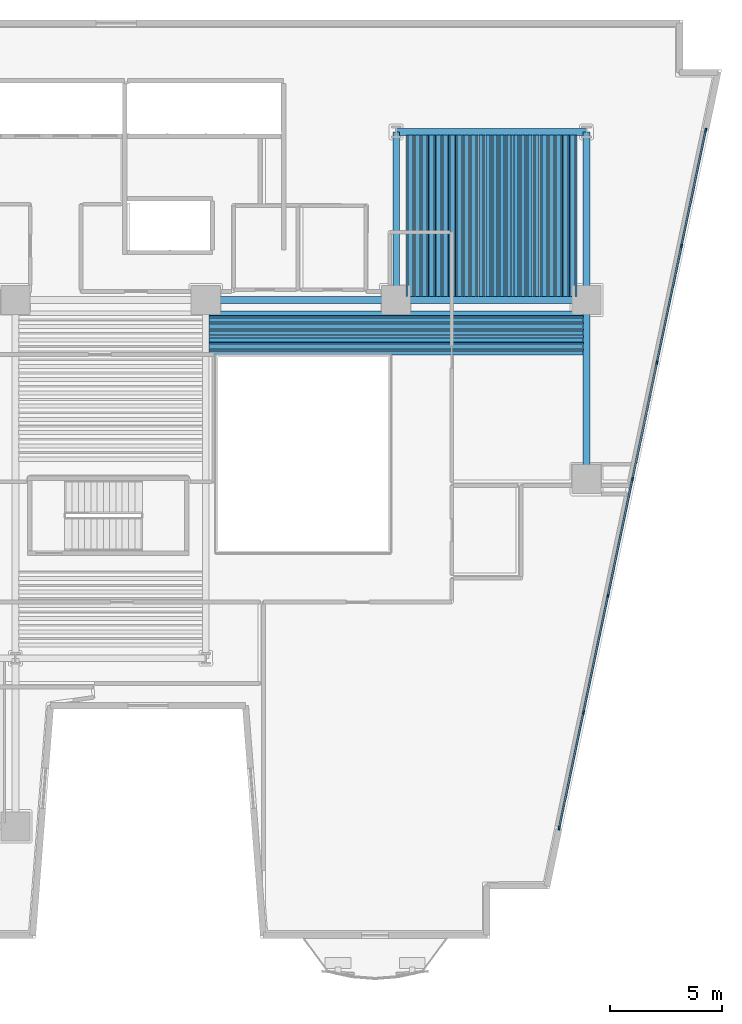
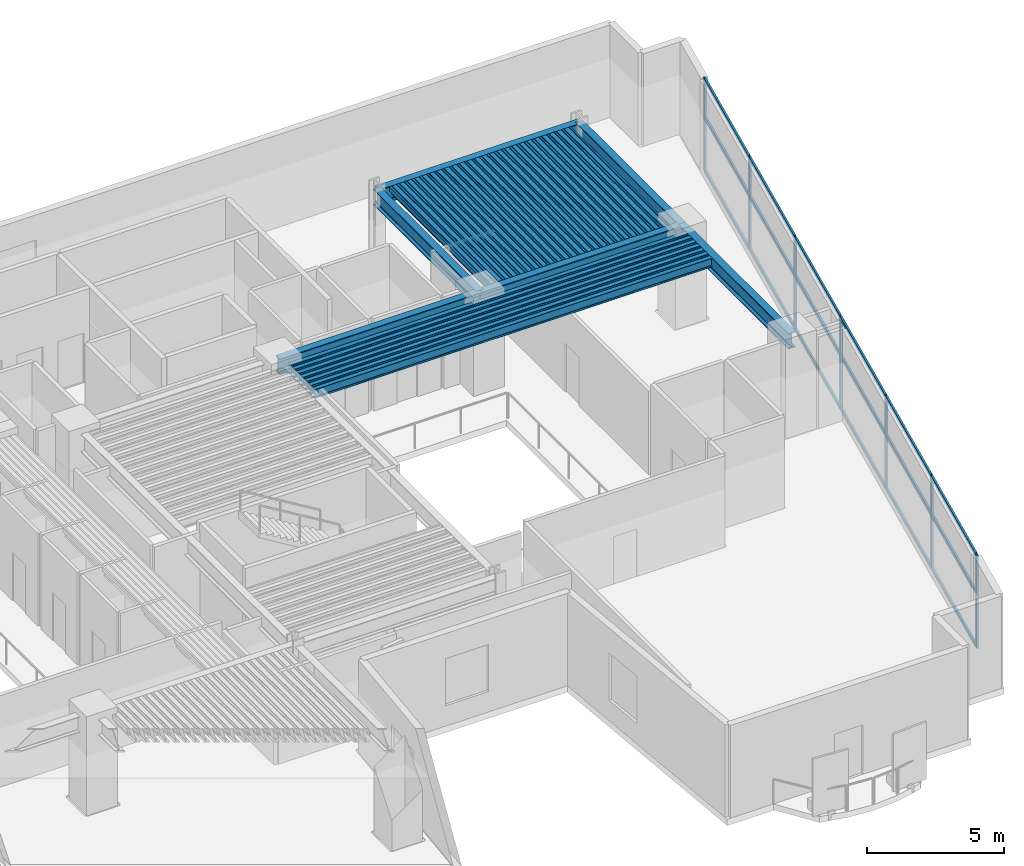
# One storey, part 2 of 12: 68 beams, 25 members, 1 element without a shape of its own.
"""IFC4 building model written with IfcOpenShell, lengths in metres."""

from ifc_helpers import new_model, si_unit, direction, frame, origin, origin_2d, place, context, subcontext, project, spatial, rectangle, hollow_rectangle, i_section, extrude, material, layer, layer_set, material_profile, profile_set, type_object, element, aggregate, save


model = new_model("IFC4")

# Units and contexts
model_context = context("Model", 3, precision=1e-05, world=origin(), true_north=direction((0.0, 1.0)))
body_context = subcontext(model_context, "Body", "Model", "MODEL_VIEW")
ifc_project = project(units=[si_unit("LENGTHUNIT", "METRE"), si_unit("AREAUNIT", "SQUARE_METRE"), si_unit("VOLUMEUNIT", "CUBIC_METRE"), si_unit("PLANEANGLEUNIT", "RADIAN"), si_unit("MASSUNIT", "GRAM", prefix="KILO")], contexts=[model_context])

# Site, building, storey
site_placement = place(None, origin())
site = spatial("IfcSite", under=ifc_project, at=site_placement, CompositionType="ELEMENT")
building_placement = place(site_placement, origin())
building = spatial("IfcBuilding", under=site, at=building_placement, Name="Caeloran Harvest Quay", CompositionType="ELEMENT")
storey_placement = place(building_placement, frame((0.0, 0.0, 97.39990234375)))
storey = spatial("IfcBuildingStorey", under=building, at=storey_placement, Name="L22", CompositionType="ELEMENT", Elevation=97.39990234375)

# Beams
ifc_material_1 = material(Name="Steel S355J2", Category="steel")
ifc_material_profile_1 = material_profile(ifc_material_1, i_section(OverallWidth=0.300048828125, OverallDepth=0.699951171875, WebThickness=0.01708984375, FlangeThickness=0.031982421875, FilletRadius=0.027099609375, at=origin_2d()), Name="HE 700 B")
ifc_profile_set_1 = profile_set([ifc_material_profile_1], Name="Steel S355J2")
beam_type_1 = type_object("IfcBeamType", Name="BM-PG-2-HE_700_B", PredefinedType="BEAM", material=ifc_profile_set_1)
for number, where, z_axis, x_axis, name in (
    (1, (34.0, 31.0, 3.76513671875), (1.0, 0.0, 0.0), (0.0, 1.0, 0.0), "L22 Primary East-West Girder Y=31.0"),
    (2, (42.5, 31.0, 3.76513671875), (1.0, 0.0, 0.0), (0.0, 1.0, 0.0), "L22 Primary East-West Girder Y=31.0"),
    (3, (42.5, 38.5, 3.76513671875), (1.0, 0.0, 0.0), (0.0, 1.0, 0.0), "L22 Primary East-West Girder Y=38.5"),
):
    element("IfcBeam", number, at=place(storey_placement, frame(where, z_axis=z_axis, x_axis=x_axis)), inside=storey, type_object=beam_type_1, Name=name, PredefinedType="BEAM", context=body_context, shape_type="SweptSolid", body=[
        extrude(i_section(OverallWidth=0.300048828125, OverallDepth=0.699951171875, WebThickness=0.01708984375, FlangeThickness=0.031982421875, FilletRadius=0.027099609375, at=origin_2d()), origin(), (0.0, 0.0, 1.0), 8.5),
    ])
beam_1_placement = place(storey_placement, frame((42.5, 31.0, 3.76513671875), z_axis=(0.0, 1.0, 0.0), x_axis=(-1.0, 0.0, 0.0)))
element("IfcBeam", 4, at=beam_1_placement, inside=storey, type_object=beam_type_1, Name="L22 Primary North-South Girder X=42.5", PredefinedType="BEAM", context=body_context, shape_type="SweptSolid", body=[
    extrude(i_section(OverallWidth=0.300048828125, OverallDepth=0.699951171875, WebThickness=0.01708984375, FlangeThickness=0.031982421875, FilletRadius=0.027099609375, at=origin_2d()), origin(), (0.0, 0.0, 1.0), 7.5),
])
beam_2_placement = place(storey_placement, frame((51.0, 23.0, 3.76513671875), z_axis=(0.0, 1.0, 0.0), x_axis=(-1.0, 0.0, 0.0)))
element("IfcBeam", 5, at=beam_2_placement, inside=storey, type_object=beam_type_1, Name="L22 Primary North-South Girder X=51.0", PredefinedType="BEAM", context=body_context, shape_type="SweptSolid", body=[
    extrude(i_section(OverallWidth=0.300048828125, OverallDepth=0.699951171875, WebThickness=0.01708984375, FlangeThickness=0.031982421875, FilletRadius=0.027099609375, at=origin_2d()), origin(), (0.0, 0.0, 1.0), 8.0),
])
beam_3_placement = place(storey_placement, frame((51.0, 31.0, 3.76513671875), z_axis=(0.0, 1.0, 0.0), x_axis=(-1.0, 0.0, 0.0)))
element("IfcBeam", 6, at=beam_3_placement, inside=storey, type_object=beam_type_1, Name="L22 Primary North-South Girder X=51.0", PredefinedType="BEAM", context=body_context, shape_type="SweptSolid", body=[
    extrude(i_section(OverallWidth=0.300048828125, OverallDepth=0.699951171875, WebThickness=0.01708984375, FlangeThickness=0.031982421875, FilletRadius=0.027099609375, at=origin_2d()), origin(), (0.0, 0.0, 1.0), 7.5),
])
ifc_material_profile_2 = material_profile(ifc_material_1, i_section(OverallWidth=0.179931640625, OverallDepth=0.39990234375, WebThickness=0.008544921875, FlangeThickness=0.013427734375, FilletRadius=0.02099609375, at=origin_2d()), Name="IPE 400")
ifc_profile_set_2 = profile_set([ifc_material_profile_2], Name="Steel S355J2")
beam_type_2 = type_object("IfcBeamType", Name="BM-SB-4-IPE_400", PredefinedType="JOIST", material=ifc_profile_set_2)
for number, where, z_axis, x_axis, name in (
    (7, (43.129638671875, 31.14501953125, 3.9150390625), (0.0, 1.0, 0.0), (-1.0, 0.0, 0.0), "L22 Secondary Composite Joist"),
    (8, (43.4443359375, 31.14501953125, 3.9150390625), (0.0, 1.0, 0.0), (-1.0, 0.0, 0.0), "L22 Secondary Composite Joist"),
    (9, (43.75927734375, 31.14501953125, 3.9150390625), (0.0, 1.0, 0.0), (-1.0, 0.0, 0.0), "L22 Secondary Composite Joist"),
    (10, (44.07421875, 31.14501953125, 3.9150390625), (0.0, 1.0, 0.0), (-1.0, 0.0, 0.0), "L22 Secondary Composite Joist"),
    (11, (44.388916015625, 31.14501953125, 3.9150390625), (0.0, 1.0, 0.0), (-1.0, 0.0, 0.0), "L22 Secondary Composite Joist"),
    (12, (44.70361328125, 31.14501953125, 3.9150390625), (0.0, 1.0, 0.0), (-1.0, 0.0, 0.0), "L22 Secondary Composite Joist"),
    (13, (45.0185546875, 31.14501953125, 3.9150390625), (0.0, 1.0, 0.0), (-1.0, 0.0, 0.0), "L22 Secondary Composite Joist"),
    (14, (45.333251953125, 31.14501953125, 3.9150390625), (0.0, 1.0, 0.0), (-1.0, 0.0, 0.0), "L22 Secondary Composite Joist"),
    (15, (45.648193359375, 31.14501953125, 3.9150390625), (0.0, 1.0, 0.0), (-1.0, 0.0, 0.0), "L22 Secondary Composite Joist"),
    (16, (45.962890625, 31.14501953125, 3.9150390625), (0.0, 1.0, 0.0), (-1.0, 0.0, 0.0), "L22 Secondary Composite Joist"),
    (17, (46.27783203125, 31.14501953125, 3.9150390625), (0.0, 1.0, 0.0), (-1.0, 0.0, 0.0), "L22 Secondary Composite Joist"),
    (18, (46.592529296875, 31.14501953125, 3.9150390625), (0.0, 1.0, 0.0), (-1.0, 0.0, 0.0), "L22 Secondary Composite Joist"),
    (19, (46.907470703125, 31.14501953125, 3.9150390625), (0.0, 1.0, 0.0), (-1.0, 0.0, 0.0), "L22 Secondary Composite Joist"),
    (20, (47.22216796875, 31.14501953125, 3.9150390625), (0.0, 1.0, 0.0), (-1.0, 0.0, 0.0), "L22 Secondary Composite Joist"),
    (21, (47.537109375, 31.14501953125, 3.9150390625), (0.0, 1.0, 0.0), (-1.0, 0.0, 0.0), "L22 Secondary Composite Joist"),
    (22, (47.851806640625, 31.14501953125, 3.9150390625), (0.0, 1.0, 0.0), (-1.0, 0.0, 0.0), "L22 Secondary Composite Joist"),
    (23, (48.166748046875, 31.14501953125, 3.9150390625), (0.0, 1.0, 0.0), (-1.0, 0.0, 0.0), "L22 Secondary Composite Joist"),
    (24, (48.4814453125, 31.14501953125, 3.9150390625), (0.0, 1.0, 0.0), (-1.0, 0.0, 0.0), "L22 Secondary Composite Joist"),
    (25, (48.79638671875, 31.14501953125, 3.9150390625), (0.0, 1.0, 0.0), (-1.0, 0.0, 0.0), "L22 Secondary Composite Joist"),
    (26, (49.111083984375, 31.14501953125, 3.9150390625), (0.0, 1.0, 0.0), (-1.0, 0.0, 0.0), "L22 Secondary Composite Joist"),
    (27, (49.42578125, 31.14501953125, 3.9150390625), (0.0, 1.0, 0.0), (-1.0, 0.0, 0.0), "L22 Secondary Composite Joist"),
    (28, (49.74072265625, 31.14501953125, 3.9150390625), (0.0, 1.0, 0.0), (-1.0, 0.0, 0.0), "L22 Secondary Composite Joist"),
    (29, (50.0556640625, 31.14501953125, 3.9150390625), (0.0, 1.0, 0.0), (-1.0, 0.0, 0.0), "L22 Secondary Composite Joist"),
    (30, (50.370361328125, 31.14501953125, 3.9150390625), (0.0, 1.0, 0.0), (-1.0, 0.0, 0.0), "L22 Secondary Composite Joist"),
):
    element("IfcBeam", number, at=place(storey_placement, frame(where, z_axis=z_axis, x_axis=x_axis)), inside=storey, type_object=beam_type_2, Name=name, PredefinedType="JOIST", context=body_context, shape_type="SweptSolid", body=[
        extrude(i_section(OverallWidth=0.179931640625, OverallDepth=0.39990234375, WebThickness=0.008544921875, FlangeThickness=0.013427734375, FilletRadius=0.02099609375, at=origin_2d()), origin(), (0.0, 0.0, 1.0), 7.2099609375),
    ])
for number, where, z_axis, x_axis, name in (
    (31, (34.14501953125, 28.629638671875, 3.9150390625), (1.0, 0.0, 0.0), (0.0, 1.0, 0.0), "L22 Secondary East-West Composite Joist"),
    (32, (34.14501953125, 28.92578125, 3.9150390625), (1.0, 0.0, 0.0), (0.0, 1.0, 0.0), "L22 Secondary East-West Composite Joist"),
    (33, (34.14501953125, 29.22216796875, 3.9150390625), (1.0, 0.0, 0.0), (0.0, 1.0, 0.0), "L22 Secondary East-West Composite Joist"),
    (34, (34.14501953125, 29.5185546875, 3.9150390625), (1.0, 0.0, 0.0), (0.0, 1.0, 0.0), "L22 Secondary East-West Composite Joist"),
    (35, (34.14501953125, 29.814697265625, 3.9150390625), (1.0, 0.0, 0.0), (0.0, 1.0, 0.0), "L22 Secondary East-West Composite Joist"),
    (36, (34.14501953125, 30.111083984375, 3.9150390625), (1.0, 0.0, 0.0), (0.0, 1.0, 0.0), "L22 Secondary East-West Composite Joist"),
    (37, (34.14501953125, 30.407470703125, 3.9150390625), (1.0, 0.0, 0.0), (0.0, 1.0, 0.0), "L22 Secondary East-West Composite Joist"),
):
    element("IfcBeam", number, at=place(storey_placement, frame(where, z_axis=z_axis, x_axis=x_axis)), inside=storey, type_object=beam_type_2, Name=name, PredefinedType="JOIST", context=body_context, shape_type="SweptSolid", body=[
        extrude(i_section(OverallWidth=0.179931640625, OverallDepth=0.39990234375, WebThickness=0.008544921875, FlangeThickness=0.013427734375, FilletRadius=0.02099609375, at=origin_2d()), origin(), (0.0, 0.0, 1.0), 16.7099609375),
    ])
ifc_material_profile_3 = material_profile(ifc_material_1, hollow_rectangle(XDim=0.080078125, YDim=0.199951171875, WallThickness=0.006103515625, InnerFilletRadius=0.006103515625, OuterFilletRadius=0.009033203125, at=origin_2d()), Name="RHS 200x80x6")
ifc_profile_set_3 = profile_set([ifc_material_profile_3], Name="Steel S355J2")
beam_type_3 = type_object("IfcBeamType", Name="BM-SB-7-RHS_200x80x6", PredefinedType="JOIST", material=ifc_profile_set_3)
for number, where, z_axis, x_axis, name in (
    (38, (42.97216796875, 31.14501953125, 4.01513671875), (0.0, 1.0, 0.0), (-1.0, 0.0, 0.0), "L22 Secondary Composite Joist"),
    (39, (43.287109375, 31.14501953125, 4.01513671875), (0.0, 1.0, 0.0), (-1.0, 0.0, 0.0), "L22 Secondary Composite Joist"),
    (40, (43.601806640625, 31.14501953125, 4.01513671875), (0.0, 1.0, 0.0), (-1.0, 0.0, 0.0), "L22 Secondary Composite Joist"),
    (41, (43.916748046875, 31.14501953125, 4.01513671875), (0.0, 1.0, 0.0), (-1.0, 0.0, 0.0), "L22 Secondary Composite Joist"),
    (42, (44.2314453125, 31.14501953125, 4.01513671875), (0.0, 1.0, 0.0), (-1.0, 0.0, 0.0), "L22 Secondary Composite Joist"),
    (43, (44.54638671875, 31.14501953125, 4.01513671875), (0.0, 1.0, 0.0), (-1.0, 0.0, 0.0), "L22 Secondary Composite Joist"),
    (44, (44.861083984375, 31.14501953125, 4.01513671875), (0.0, 1.0, 0.0), (-1.0, 0.0, 0.0), "L22 Secondary Composite Joist"),
    (45, (45.17578125, 31.14501953125, 4.01513671875), (0.0, 1.0, 0.0), (-1.0, 0.0, 0.0), "L22 Secondary Composite Joist"),
    (46, (45.49072265625, 31.14501953125, 4.01513671875), (0.0, 1.0, 0.0), (-1.0, 0.0, 0.0), "L22 Secondary Composite Joist"),
    (47, (45.8056640625, 31.14501953125, 4.01513671875), (0.0, 1.0, 0.0), (-1.0, 0.0, 0.0), "L22 Secondary Composite Joist"),
    (48, (46.120361328125, 31.14501953125, 4.01513671875), (0.0, 1.0, 0.0), (-1.0, 0.0, 0.0), "L22 Secondary Composite Joist"),
    (49, (46.435302734375, 31.14501953125, 4.01513671875), (0.0, 1.0, 0.0), (-1.0, 0.0, 0.0), "L22 Secondary Composite Joist"),
    (50, (46.75, 31.14501953125, 4.01513671875), (0.0, 1.0, 0.0), (-1.0, 0.0, 0.0), "L22 Secondary Composite Joist"),
    (51, (47.064697265625, 31.14501953125, 4.01513671875), (0.0, 1.0, 0.0), (-1.0, 0.0, 0.0), "L22 Secondary Composite Joist"),
    (52, (47.379638671875, 31.14501953125, 4.01513671875), (0.0, 1.0, 0.0), (-1.0, 0.0, 0.0), "L22 Secondary Composite Joist"),
    (53, (47.6943359375, 31.14501953125, 4.01513671875), (0.0, 1.0, 0.0), (-1.0, 0.0, 0.0), "L22 Secondary Composite Joist"),
    (54, (48.00927734375, 31.14501953125, 4.01513671875), (0.0, 1.0, 0.0), (-1.0, 0.0, 0.0), "L22 Secondary Composite Joist"),
    (55, (48.32421875, 31.14501953125, 4.01513671875), (0.0, 1.0, 0.0), (-1.0, 0.0, 0.0), "L22 Secondary Composite Joist"),
    (56, (48.638916015625, 31.14501953125, 4.01513671875), (0.0, 1.0, 0.0), (-1.0, 0.0, 0.0), "L22 Secondary Composite Joist"),
    (57, (48.95361328125, 31.14501953125, 4.01513671875), (0.0, 1.0, 0.0), (-1.0, 0.0, 0.0), "L22 Secondary Composite Joist"),
    (58, (49.2685546875, 31.14501953125, 4.01513671875), (0.0, 1.0, 0.0), (-1.0, 0.0, 0.0), "L22 Secondary Composite Joist"),
    (59, (49.583251953125, 31.14501953125, 4.01513671875), (0.0, 1.0, 0.0), (-1.0, 0.0, 0.0), "L22 Secondary Composite Joist"),
    (60, (49.898193359375, 31.14501953125, 4.01513671875), (0.0, 1.0, 0.0), (-1.0, 0.0, 0.0), "L22 Secondary Composite Joist"),
    (61, (50.212890625, 31.14501953125, 4.01513671875), (0.0, 1.0, 0.0), (-1.0, 0.0, 0.0), "L22 Secondary Composite Joist"),
    (62, (50.52783203125, 31.14501953125, 4.01513671875), (0.0, 1.0, 0.0), (-1.0, 0.0, 0.0), "L22 Secondary Composite Joist"),
):
    element("IfcBeam", number, at=place(storey_placement, frame(where, z_axis=z_axis, x_axis=x_axis)), inside=storey, type_object=beam_type_3, Name=name, PredefinedType="JOIST", context=body_context, shape_type="SweptSolid", body=[
        extrude(hollow_rectangle(XDim=0.080078125, YDim=0.199951171875, WallThickness=0.006103515625, InnerFilletRadius=0.006103515625, OuterFilletRadius=0.009033203125, at=origin_2d()), origin(), (0.0, 0.0, 1.0), 7.2099609375),
    ])
for number, where, z_axis, x_axis, name in (
    (63, (34.14501953125, 28.77783203125, 4.01513671875), (1.0, 0.0, 0.0), (0.0, 1.0, 0.0), "L22 Secondary East-West Composite Joist"),
    (64, (34.14501953125, 29.07421875, 4.01513671875), (1.0, 0.0, 0.0), (0.0, 1.0, 0.0), "L22 Secondary East-West Composite Joist"),
    (65, (34.14501953125, 29.370361328125, 4.01513671875), (1.0, 0.0, 0.0), (0.0, 1.0, 0.0), "L22 Secondary East-West Composite Joist"),
    (66, (34.14501953125, 29.666748046875, 4.01513671875), (1.0, 0.0, 0.0), (0.0, 1.0, 0.0), "L22 Secondary East-West Composite Joist"),
    (67, (34.14501953125, 29.962890625, 4.01513671875), (1.0, 0.0, 0.0), (0.0, 1.0, 0.0), "L22 Secondary East-West Composite Joist"),
    (68, (34.14501953125, 30.25927734375, 4.01513671875), (1.0, 0.0, 0.0), (0.0, 1.0, 0.0), "L22 Secondary East-West Composite Joist"),
):
    element("IfcBeam", number, at=place(storey_placement, frame(where, z_axis=z_axis, x_axis=x_axis)), inside=storey, type_object=beam_type_3, Name=name, PredefinedType="JOIST", context=body_context, shape_type="SweptSolid", body=[
        extrude(hollow_rectangle(XDim=0.080078125, YDim=0.199951171875, WallThickness=0.006103515625, InnerFilletRadius=0.006103515625, OuterFilletRadius=0.009033203125, at=origin_2d()), origin(), (0.0, 0.0, 1.0), 16.7099609375),
    ])

# Curtain wall, members
ifc_material_2 = material(Name="Aluminium 6063-T6 and Low-E Glazing", Category="aluminium")
ifc_layer = layer(ifc_material_2, 0.199951171875, Name="Aluminium 6063-T6 and Low-E Glazing")
ifc_layer_set = layer_set([ifc_layer], Name="Aluminium 6063-T6 and Low-E Glazing")
curtain_wall_type = type_object("IfcCurtainWallType", Name="CW-SYS-CW-2", PredefinedType="USERDEFINED", material=ifc_layer_set)
curtain_wall_placement = place(storey_placement, origin())
curtain_wall = element("IfcCurtainWall", 69, at=curtain_wall_placement, inside=storey, type_object=curtain_wall_type, Name="L22 Unitised Curtain Wall CW-2 Run 9", ObjectType="CURTAIN_WALL", PredefinedType="USERDEFINED")
ifc_material_3 = material(Name="Aluminium 6063-T6", Category="aluminium")
ifc_material_profile_4 = material_profile(ifc_material_3, rectangle(XDim=0.080078125, YDim=0.179931640625, at=origin_2d()), Name="CW-MULLION-180")
ifc_profile_set_4 = profile_set([ifc_material_profile_4], Name="Aluminium 6063-T6")
member_type_1 = type_object("IfcMemberType", Name="CW-MULLION-180", PredefinedType="MULLION", material=ifc_profile_set_4)
member_1_placement = place(storey_placement, frame((56.322509765625, 38.576416015625, 0.0), z_axis=(0.0, 0.0, 1.0), x_axis=(0.978639691881, -0.205582960081, 0.0)))
member_1 = element("IfcMember", 70, at=member_1_placement, type_object=member_type_1, Name="CW-2 mullion 1", PredefinedType="MULLION", context=body_context, shape_type="SweptSolid", body=[
    extrude(rectangle(XDim=0.080078125, YDim=0.179931640625, at=origin_2d()), origin(), (0.0, 0.0, 1.0), 4.114990234375),
])
member_2_placement = place(storey_placement, frame((55.2373046875, 33.410400390625, 0.0), z_axis=(0.0, 0.0, 1.0), x_axis=(0.978639691881, -0.205582960081, 0.0)))
member_2 = element("IfcMember", 71, at=member_2_placement, type_object=member_type_1, Name="CW-2 mullion 2", PredefinedType="MULLION", context=body_context, shape_type="SweptSolid", body=[
    extrude(rectangle(XDim=0.080078125, YDim=0.179931640625, at=origin_2d()), origin(), (0.0, 0.0, 1.0), 4.114990234375),
])
member_3_placement = place(storey_placement, frame((54.143798828125, 28.205078125, 0.0), z_axis=(0.0, 0.0, 1.0), x_axis=(0.978639691881, -0.205582960081, 0.0)))
member_3 = element("IfcMember", 72, at=member_3_placement, type_object=member_type_1, Name="CW-2 mullion 3", PredefinedType="MULLION", context=body_context, shape_type="SweptSolid", body=[
    extrude(rectangle(XDim=0.080078125, YDim=0.179931640625, at=origin_2d()), origin(), (0.0, 0.0, 1.0), 4.114990234375),
])
member_4_placement = place(storey_placement, frame((53.050537109375, 23.0, 0.0), z_axis=(0.0, 0.0, 1.0), x_axis=(0.978639691881, -0.205582960081, 0.0)))
member_4 = element("IfcMember", 73, at=member_4_placement, type_object=member_type_1, Name="CW-2 mullion 4", PredefinedType="MULLION", context=body_context, shape_type="SweptSolid", body=[
    extrude(rectangle(XDim=0.080078125, YDim=0.179931640625, at=origin_2d()), origin(), (0.0, 0.0, 1.0), 4.114990234375),
])
member_5_placement = place(storey_placement, frame((51.95703125, 17.794921875, 0.0), z_axis=(0.0, 0.0, 1.0), x_axis=(0.978639691881, -0.205582960081, 0.0)))
member_5 = element("IfcMember", 74, at=member_5_placement, type_object=member_type_1, Name="CW-2 mullion 5", PredefinedType="MULLION", context=body_context, shape_type="SweptSolid", body=[
    extrude(rectangle(XDim=0.080078125, YDim=0.179931640625, at=origin_2d()), origin(), (0.0, 0.0, 1.0), 4.114990234375),
])
member_6_placement = place(storey_placement, frame((50.863525390625, 12.589599609375, 0.0), z_axis=(0.0, 0.0, 1.0), x_axis=(0.978639691881, -0.205582960081, 0.0)))
member_6 = element("IfcMember", 75, at=member_6_placement, type_object=member_type_1, Name="CW-2 mullion 6", PredefinedType="MULLION", context=body_context, shape_type="SweptSolid", body=[
    extrude(rectangle(XDim=0.080078125, YDim=0.179931640625, at=origin_2d()), origin(), (0.0, 0.0, 1.0), 4.114990234375),
])
member_7_placement = place(storey_placement, frame((49.7783203125, 7.423583984375, 0.0), z_axis=(0.0, 0.0, 1.0), x_axis=(0.978639691881, -0.205582960081, 0.0)))
member_7 = element("IfcMember", 76, at=member_7_placement, type_object=member_type_1, Name="CW-2 mullion 7", PredefinedType="MULLION", context=body_context, shape_type="SweptSolid", body=[
    extrude(rectangle(XDim=0.080078125, YDim=0.179931640625, at=origin_2d()), origin(), (0.0, 0.0, 1.0), 4.114990234375),
])
ifc_material_profile_5 = material_profile(ifc_material_3, rectangle(XDim=0.080078125, YDim=0.14990234375, at=origin_2d()), Name="CW-TRANSOM-150")
ifc_profile_set_5 = profile_set([ifc_material_profile_5], Name="Aluminium 6063-T6")
member_type_2 = type_object("IfcMemberType", Name="CW-TRANSOM-150", PredefinedType="USERDEFINED", material=ifc_profile_set_5)
member_8_placement = place(storey_placement, frame((56.314453125, 38.537109375, 0.0400390625), z_axis=(-0.205598644178, -0.978636396989, 0.0), x_axis=(0.978636396989, -0.205598644178, 0.0)))
member_8 = element("IfcMember", 77, at=member_8_placement, type_object=member_type_2, Name="CW-2 transom 1.1", ObjectType="TRANSOM", PredefinedType="USERDEFINED", context=body_context, shape_type="SweptSolid", body=[
    extrude(rectangle(XDim=0.080078125, YDim=0.14990234375, at=origin_2d()), origin(), (0.0, 0.0, 1.0), 5.19873046875),
])
member_9_placement = place(storey_placement, frame((56.314453125, 38.537109375, 2.400146484375), z_axis=(-0.205598644178, -0.978636396989, 0.0), x_axis=(0.978636396989, -0.205598644178, 0.0)))
member_9 = element("IfcMember", 78, at=member_9_placement, type_object=member_type_2, Name="CW-2 transom 1.2", ObjectType="TRANSOM", PredefinedType="USERDEFINED", context=body_context, shape_type="SweptSolid", body=[
    extrude(rectangle(XDim=0.080078125, YDim=0.14990234375, at=origin_2d()), origin(), (0.0, 0.0, 1.0), 5.19873046875),
])
member_10_placement = place(storey_placement, frame((56.314453125, 38.537109375, 4.0751953125), z_axis=(-0.205598644178, -0.978636396989, 0.0), x_axis=(0.978636396989, -0.205598644178, 0.0)))
member_10 = element("IfcMember", 79, at=member_10_placement, type_object=member_type_2, Name="CW-2 transom 1.3", ObjectType="TRANSOM", PredefinedType="USERDEFINED", context=body_context, shape_type="SweptSolid", body=[
    extrude(rectangle(XDim=0.080078125, YDim=0.14990234375, at=origin_2d()), origin(), (0.0, 0.0, 1.0), 5.19873046875),
])
member_11_placement = place(storey_placement, frame((55.229248046875, 33.37109375, 0.0400390625), z_axis=(-0.205615877389, -0.97863277636, 0.0), x_axis=(0.97863277636, -0.205615877389, 0.0)))
member_11 = element("IfcMember", 80, at=member_11_placement, type_object=member_type_2, Name="CW-2 transom 2.1", ObjectType="TRANSOM", PredefinedType="USERDEFINED", context=body_context, shape_type="SweptSolid", body=[
    extrude(rectangle(XDim=0.080078125, YDim=0.14990234375, at=origin_2d()), origin(), (0.0, 0.0, 1.0), 5.238525390625),
])
member_12_placement = place(storey_placement, frame((55.229248046875, 33.37109375, 2.400146484375), z_axis=(-0.205615877389, -0.97863277636, 0.0), x_axis=(0.97863277636, -0.205615877389, 0.0)))
member_12 = element("IfcMember", 81, at=member_12_placement, type_object=member_type_2, Name="CW-2 transom 2.2", ObjectType="TRANSOM", PredefinedType="USERDEFINED", context=body_context, shape_type="SweptSolid", body=[
    extrude(rectangle(XDim=0.080078125, YDim=0.14990234375, at=origin_2d()), origin(), (0.0, 0.0, 1.0), 5.238525390625),
])
member_13_placement = place(storey_placement, frame((55.229248046875, 33.37109375, 4.0751953125), z_axis=(-0.205615877389, -0.97863277636, 0.0), x_axis=(0.97863277636, -0.205615877389, 0.0)))
member_13 = element("IfcMember", 82, at=member_13_placement, type_object=member_type_2, Name="CW-2 transom 2.3", ObjectType="TRANSOM", PredefinedType="USERDEFINED", context=body_context, shape_type="SweptSolid", body=[
    extrude(rectangle(XDim=0.080078125, YDim=0.14990234375, at=origin_2d()), origin(), (0.0, 0.0, 1.0), 5.238525390625),
])
member_14_placement = place(storey_placement, frame((54.1357421875, 28.166015625, 0.0400390625), z_axis=(-0.205606500081, -0.978634746534, 0.0), x_axis=(0.978634746534, -0.205606500081, 0.0)))
member_14 = element("IfcMember", 83, at=member_14_placement, type_object=member_type_2, Name="CW-2 transom 3.1", ObjectType="TRANSOM", PredefinedType="USERDEFINED", context=body_context, shape_type="SweptSolid", body=[
    extrude(rectangle(XDim=0.080078125, YDim=0.14990234375, at=origin_2d()), origin(), (0.0, 0.0, 1.0), 5.23876953125),
])
member_15_placement = place(storey_placement, frame((54.1357421875, 28.166015625, 2.400146484375), z_axis=(-0.205606500081, -0.978634746534, 0.0), x_axis=(0.978634746534, -0.205606500081, 0.0)))
member_15 = element("IfcMember", 84, at=member_15_placement, type_object=member_type_2, Name="CW-2 transom 3.2", ObjectType="TRANSOM", PredefinedType="USERDEFINED", context=body_context, shape_type="SweptSolid", body=[
    extrude(rectangle(XDim=0.080078125, YDim=0.14990234375, at=origin_2d()), origin(), (0.0, 0.0, 1.0), 5.23876953125),
])
member_16_placement = place(storey_placement, frame((54.1357421875, 28.166015625, 4.0751953125), z_axis=(-0.205606500081, -0.978634746534, 0.0), x_axis=(0.978634746534, -0.205606500081, 0.0)))
member_16 = element("IfcMember", 85, at=member_16_placement, type_object=member_type_2, Name="CW-2 transom 3.3", ObjectType="TRANSOM", PredefinedType="USERDEFINED", context=body_context, shape_type="SweptSolid", body=[
    extrude(rectangle(XDim=0.080078125, YDim=0.14990234375, at=origin_2d()), origin(), (0.0, 0.0, 1.0), 5.23876953125),
])
member_17_placement = place(storey_placement, frame((53.042236328125, 22.9609375, 0.0400390625), z_axis=(-0.205561867825, -0.978644122496, 0.0), x_axis=(0.978644122496, -0.205561867825, 0.0)))
member_17 = element("IfcMember", 86, at=member_17_placement, type_object=member_type_2, Name="CW-2 transom 4.1", ObjectType="TRANSOM", PredefinedType="USERDEFINED", context=body_context, shape_type="SweptSolid", body=[
    extrude(rectangle(XDim=0.080078125, YDim=0.14990234375, at=origin_2d()), origin(), (0.0, 0.0, 1.0), 5.23876953125),
])
member_18_placement = place(storey_placement, frame((53.042236328125, 22.9609375, 2.400146484375), z_axis=(-0.205561867825, -0.978644122496, 0.0), x_axis=(0.978644122496, -0.205561867825, 0.0)))
member_18 = element("IfcMember", 87, at=member_18_placement, type_object=member_type_2, Name="CW-2 transom 4.2", ObjectType="TRANSOM", PredefinedType="USERDEFINED", context=body_context, shape_type="SweptSolid", body=[
    extrude(rectangle(XDim=0.080078125, YDim=0.14990234375, at=origin_2d()), origin(), (0.0, 0.0, 1.0), 5.23876953125),
])
member_19_placement = place(storey_placement, frame((53.042236328125, 22.9609375, 4.0751953125), z_axis=(-0.205561867825, -0.978644122496, 0.0), x_axis=(0.978644122496, -0.205561867825, 0.0)))
member_19 = element("IfcMember", 88, at=member_19_placement, type_object=member_type_2, Name="CW-2 transom 4.3", ObjectType="TRANSOM", PredefinedType="USERDEFINED", context=body_context, shape_type="SweptSolid", body=[
    extrude(rectangle(XDim=0.080078125, YDim=0.14990234375, at=origin_2d()), origin(), (0.0, 0.0, 1.0), 5.23876953125),
])
member_20_placement = place(storey_placement, frame((51.94873046875, 17.755615234375, 0.0400390625), z_axis=(-0.205571243277, -0.978642153158, 0.0), x_axis=(0.978642153158, -0.205571243277, 0.0)))
member_20 = element("IfcMember", 89, at=member_20_placement, type_object=member_type_2, Name="CW-2 transom 5.1", ObjectType="TRANSOM", PredefinedType="USERDEFINED", context=body_context, shape_type="SweptSolid", body=[
    extrude(rectangle(XDim=0.080078125, YDim=0.14990234375, at=origin_2d()), origin(), (0.0, 0.0, 1.0), 5.238525390625),
])
member_21_placement = place(storey_placement, frame((51.94873046875, 17.755615234375, 2.400146484375), z_axis=(-0.205571243277, -0.978642153158, 0.0), x_axis=(0.978642153158, -0.205571243277, 0.0)))
member_21 = element("IfcMember", 90, at=member_21_placement, type_object=member_type_2, Name="CW-2 transom 5.2", ObjectType="TRANSOM", PredefinedType="USERDEFINED", context=body_context, shape_type="SweptSolid", body=[
    extrude(rectangle(XDim=0.080078125, YDim=0.14990234375, at=origin_2d()), origin(), (0.0, 0.0, 1.0), 5.238525390625),
])
member_22_placement = place(storey_placement, frame((51.94873046875, 17.755615234375, 4.0751953125), z_axis=(-0.205571243277, -0.978642153158, 0.0), x_axis=(0.978642153158, -0.205571243277, 0.0)))
member_22 = element("IfcMember", 91, at=member_22_placement, type_object=member_type_2, Name="CW-2 transom 5.3", ObjectType="TRANSOM", PredefinedType="USERDEFINED", context=body_context, shape_type="SweptSolid", body=[
    extrude(rectangle(XDim=0.080078125, YDim=0.14990234375, at=origin_2d()), origin(), (0.0, 0.0, 1.0), 5.238525390625),
])
member_23_placement = place(storey_placement, frame((50.855224609375, 12.550537109375, 0.0400390625), z_axis=(-0.205553666865, -0.978645845052, 0.0), x_axis=(0.978645845052, -0.205553666865, 0.0)))
member_23 = element("IfcMember", 92, at=member_23_placement, type_object=member_type_2, Name="CW-2 transom 6.1", ObjectType="TRANSOM", PredefinedType="USERDEFINED", context=body_context, shape_type="SweptSolid", body=[
    extrude(rectangle(XDim=0.080078125, YDim=0.14990234375, at=origin_2d()), origin(), (0.0, 0.0, 1.0), 5.19873046875),
])
member_24_placement = place(storey_placement, frame((50.855224609375, 12.550537109375, 2.400146484375), z_axis=(-0.205553666865, -0.978645845052, 0.0), x_axis=(0.978645845052, -0.205553666865, 0.0)))
member_24 = element("IfcMember", 93, at=member_24_placement, type_object=member_type_2, Name="CW-2 transom 6.2", ObjectType="TRANSOM", PredefinedType="USERDEFINED", context=body_context, shape_type="SweptSolid", body=[
    extrude(rectangle(XDim=0.080078125, YDim=0.14990234375, at=origin_2d()), origin(), (0.0, 0.0, 1.0), 5.19873046875),
])
member_25_placement = place(storey_placement, frame((50.855224609375, 12.550537109375, 4.0751953125), z_axis=(-0.205553666865, -0.978645845052, 0.0), x_axis=(0.978645845052, -0.205553666865, 0.0)))
member_25 = element("IfcMember", 94, at=member_25_placement, type_object=member_type_2, Name="CW-2 transom 6.3", ObjectType="TRANSOM", PredefinedType="USERDEFINED", context=body_context, shape_type="SweptSolid", body=[
    extrude(rectangle(XDim=0.080078125, YDim=0.14990234375, at=origin_2d()), origin(), (0.0, 0.0, 1.0), 5.19873046875),
])
aggregate(curtain_wall, [member_1, member_2, member_3, member_4, member_5, member_6, member_7, member_8, member_9, member_10, member_11, member_12, member_13, member_14, member_15, member_16, member_17, member_18, member_19, member_20, member_21, member_22, member_23, member_24, member_25])

save(model, "model.ifc")
